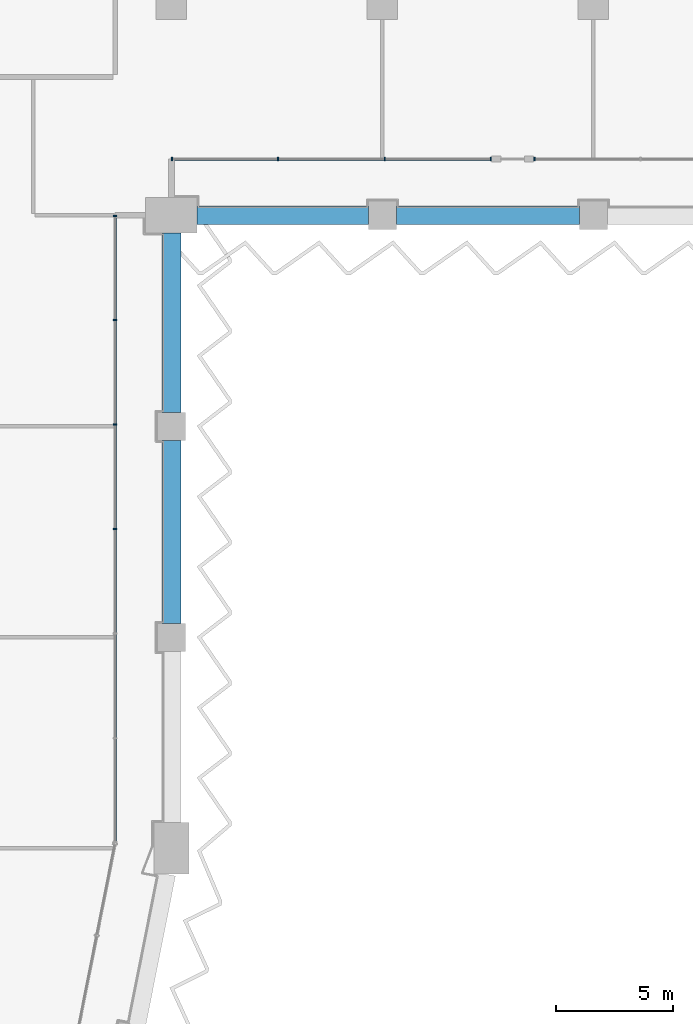
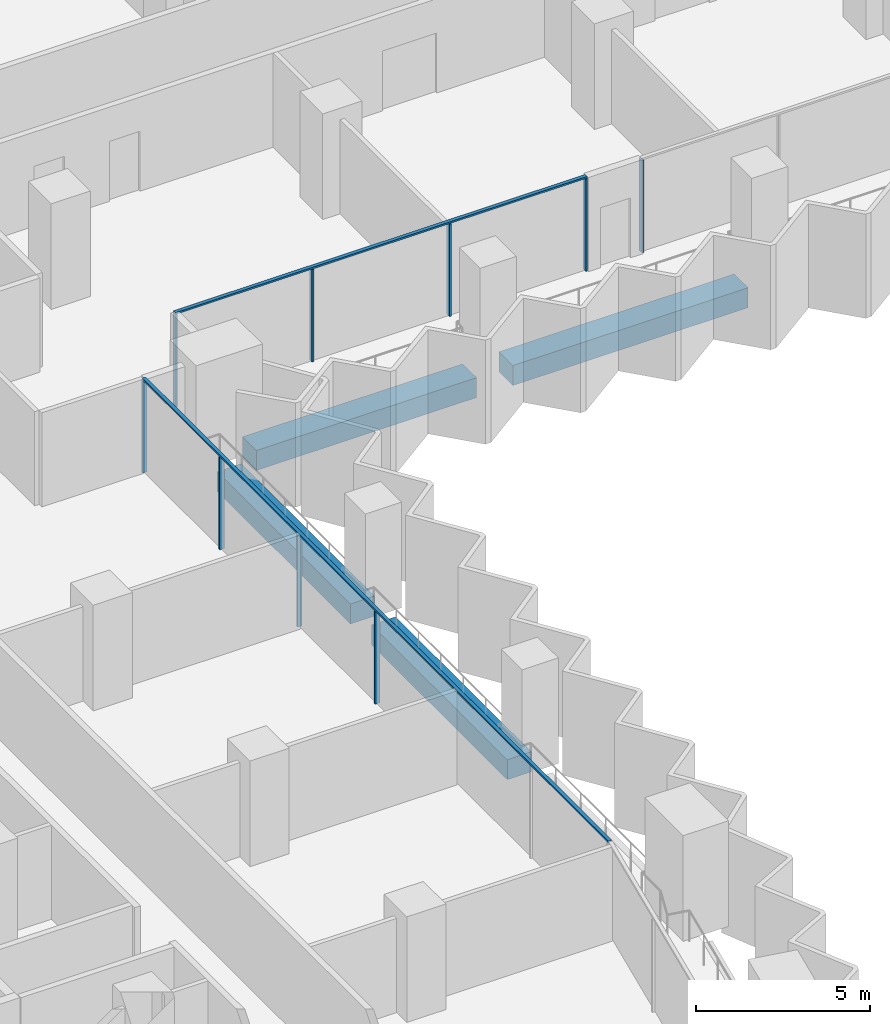
# One storey, part 4 of 22: 11 members, 4 beams, 3 elements without a shape of their own.
"""IFC4 building model written with IfcOpenShell, lengths in metres."""

from ifc_helpers import new_model, si_unit, direction, frame, origin, origin_2d, place, context, subcontext, project, spatial, rectangle, extrude, material, material_profile, profile_set, type_object, element, aggregate, save


model = new_model("IFC4")

# Units and contexts
model_context = context("Model", 3, precision=1e-05, world=origin(), true_north=direction((0.0, 1.0)))
body_context = subcontext(model_context, "Body", "Model", "MODEL_VIEW")
ifc_project = project(units=[si_unit("LENGTHUNIT", "METRE"), si_unit("AREAUNIT", "SQUARE_METRE"), si_unit("VOLUMEUNIT", "CUBIC_METRE"), si_unit("PLANEANGLEUNIT", "RADIAN"), si_unit("MASSUNIT", "GRAM", prefix="KILO")], contexts=[model_context])

# Site, building, storey
site_placement = place(None, origin())
site = spatial("IfcSite", under=ifc_project, at=site_placement, CompositionType="ELEMENT")
building_placement = place(site_placement, origin())
building = spatial("IfcBuilding", under=site, at=building_placement, Name="Hunhe Ridgeline Campus", CompositionType="ELEMENT")
storey_placement = place(building_placement, frame((0.0, 0.0, 114.39990234375)))
storey = spatial("IfcBuildingStorey", under=building, at=storey_placement, Name="L28", CompositionType="ELEMENT", Elevation=114.39990234375)

# Curtain wall, members
ifc_material_1 = material(Name="Aluminium 6063", Category="aluminium")
curtain_wall_type = type_object("IfcCurtainWallType", Name="Curtain wall CW-1", PredefinedType="NOTDEFINED", material=ifc_material_1)
curtain_wall_1_placement = place(storey_placement, origin())
curtain_wall_1 = element("IfcCurtainWall", 1, at=curtain_wall_1_placement, inside=storey, type_object=curtain_wall_type, Name="Curtain wall 11", PredefinedType="NOTDEFINED")
ifc_material_profile_1 = material_profile(ifc_material_1, rectangle(XDim=0.159912109375, YDim=0.06005859375, at=origin_2d()))
ifc_profile_set_1 = profile_set([ifc_material_profile_1], Name="Aluminium 6063")
member_type_1 = type_object("IfcMemberType", Name="CW-1 aluminium mullion", PredefinedType="MULLION", material=ifc_profile_set_1)
member_1_placement = place(storey_placement, frame((42.59912109375, 40.61865234375, 0.0), z_axis=(0.0, 0.0, 1.0), x_axis=(-0.99999999994, 1.0947456e-05, 0.0)))
member_1 = element("IfcMember", 2, at=member_1_placement, type_object=member_type_1, Name="CW-1 mullion 4", PredefinedType="MULLION", context=body_context, shape_type="SweptSolid", body=[
    extrude(rectangle(XDim=0.159912109375, YDim=0.06005859375, at=origin_2d()), origin(), (0.0, 0.0, 1.0), 3.239990234375),
])
member_2_placement = place(storey_placement, frame((42.59912109375, 45.079345703125, 0.0), z_axis=(0.0, 0.0, 1.0), x_axis=(-0.99999999994, 1.0947456e-05, 0.0)))
member_2 = element("IfcMember", 3, at=member_2_placement, type_object=member_type_1, Name="CW-1 mullion 5", PredefinedType="MULLION", context=body_context, shape_type="SweptSolid", body=[
    extrude(rectangle(XDim=0.159912109375, YDim=0.06005859375, at=origin_2d()), origin(), (0.0, 0.0, 1.0), 3.239990234375),
])
member_3_placement = place(storey_placement, frame((42.599365234375, 49.5400390625, 0.0), z_axis=(0.0, 0.0, 1.0), x_axis=(-0.99999999994, 1.0947456e-05, 0.0)))
member_3 = element("IfcMember", 4, at=member_3_placement, type_object=member_type_1, Name="CW-1 mullion 6", PredefinedType="MULLION", context=body_context, shape_type="SweptSolid", body=[
    extrude(rectangle(XDim=0.159912109375, YDim=0.06005859375, at=origin_2d()), origin(), (0.0, 0.0, 1.0), 3.239990234375),
])
member_4_placement = place(storey_placement, frame((42.599365234375, 53.970703125, 0.0), z_axis=(0.0, 0.0, 1.0), x_axis=(-0.99999999994, 1.0947456e-05, 0.0)))
member_4 = element("IfcMember", 5, at=member_4_placement, type_object=member_type_1, Name="CW-1 mullion 7", PredefinedType="MULLION", context=body_context, shape_type="SweptSolid", body=[
    extrude(rectangle(XDim=0.159912109375, YDim=0.06005859375, at=origin_2d()), origin(), (0.0, 0.0, 1.0), 3.239990234375),
])

curtain_wall_2_placement = place(storey_placement, origin())
curtain_wall_2 = element("IfcCurtainWall", 6, at=curtain_wall_2_placement, inside=storey, type_object=curtain_wall_type, Name="Curtain wall 12", PredefinedType="NOTDEFINED")
member_5_placement = place(storey_placement, frame((45.02978515625, 56.40087890625, 0.0), z_axis=(0.0, 0.0, 1.0), x_axis=(-1.4652e-07, 1.0, 0.0)))
member_5 = element("IfcMember", 7, at=member_5_placement, type_object=member_type_1, Name="CW-1 mullion 1", PredefinedType="MULLION", context=body_context, shape_type="SweptSolid", body=[
    extrude(rectangle(XDim=0.159912109375, YDim=0.06005859375, at=origin_2d()), origin(), (0.0, 0.0, 1.0), 3.239990234375),
])
member_6_placement = place(storey_placement, frame((49.5498046875, 56.40087890625, 0.0), z_axis=(0.0, 0.0, 1.0), x_axis=(-1.4652e-07, 1.0, 0.0)))
member_6 = element("IfcMember", 8, at=member_6_placement, type_object=member_type_1, Name="CW-1 mullion 2", PredefinedType="MULLION", context=body_context, shape_type="SweptSolid", body=[
    extrude(rectangle(XDim=0.159912109375, YDim=0.06005859375, at=origin_2d()), origin(), (0.0, 0.0, 1.0), 3.239990234375),
])
member_7_placement = place(storey_placement, frame((54.099609375, 56.40087890625, 0.0), z_axis=(0.0, 0.0, 1.0), x_axis=(-1.4652e-07, 1.0, 0.0)))
member_7 = element("IfcMember", 9, at=member_7_placement, type_object=member_type_1, Name="CW-1 mullion 3", PredefinedType="MULLION", context=body_context, shape_type="SweptSolid", body=[
    extrude(rectangle(XDim=0.159912109375, YDim=0.06005859375, at=origin_2d()), origin(), (0.0, 0.0, 1.0), 3.239990234375),
])
member_8_placement = place(storey_placement, frame((58.619384765625, 56.40087890625, 0.0), z_axis=(0.0, 0.0, 1.0), x_axis=(-1.4652e-07, 1.0, 0.0)))
member_8 = element("IfcMember", 10, at=member_8_placement, type_object=member_type_1, Name="CW-1 mullion 4", PredefinedType="MULLION", context=body_context, shape_type="SweptSolid", body=[
    extrude(rectangle(XDim=0.159912109375, YDim=0.06005859375, at=origin_2d()), origin(), (0.0, 0.0, 1.0), 3.239990234375),
])

# Curtain wall, member
curtain_wall_3_placement = place(storey_placement, origin())
curtain_wall_3 = element("IfcCurtainWall", 11, at=curtain_wall_3_placement, inside=storey, type_object=curtain_wall_type, Name="Curtain wall 13", PredefinedType="NOTDEFINED")
member_9_placement = place(storey_placement, frame((60.4794921875, 56.40087890625, 0.0), z_axis=(0.0, 0.0, 1.0), x_axis=(-1.4652e-07, 1.0, 0.0)))
member_9 = element("IfcMember", 12, at=member_9_placement, type_object=member_type_1, Name="CW-1 mullion 1", PredefinedType="MULLION", context=body_context, shape_type="SweptSolid", body=[
    extrude(rectangle(XDim=0.159912109375, YDim=0.06005859375, at=origin_2d()), origin(), (0.0, 0.0, 1.0), 3.239990234375),
])
aggregate(curtain_wall_3, [member_9])

# Member
ifc_material_profile_2 = material_profile(ifc_material_1, rectangle(XDim=0.1201171875, YDim=0.06005859375, at=origin_2d()))
ifc_profile_set_2 = profile_set([ifc_material_profile_2], Name="Aluminium 6063")
member_type_2 = type_object("IfcMemberType", Name="CW-1 aluminium transom", PredefinedType="USERDEFINED", material=ifc_profile_set_2)
member_10_placement = place(storey_placement, frame((42.59912109375, 27.236572265625, 3.27001953125), z_axis=(9.121924e-06, 0.999999999958, 0.0), x_axis=(-0.999999999958, 9.121924e-06, 0.0)))
member_10 = element("IfcMember", 13, at=member_10_placement, type_object=member_type_2, Name="CW-1 transom 1", ObjectType="TRANSOM", PredefinedType="USERDEFINED", context=body_context, shape_type="SweptSolid", body=[
    extrude(rectangle(XDim=0.1201171875, YDim=0.06005859375, at=origin_2d()), origin(), (0.0, 0.0, 1.0), 26.76416015625),
])

aggregate(curtain_wall_1, [member_10, member_1, member_2, member_3, member_4])

member_11_placement = place(storey_placement, frame((45.0, 56.40087890625, 3.27001953125), z_axis=(1.0, 0.0, 0.0), x_axis=(0.0, 1.0, 0.0)))
member_11 = element("IfcMember", 14, at=member_11_placement, type_object=member_type_2, Name="CW-1 transom 1", ObjectType="TRANSOM", PredefinedType="USERDEFINED", context=body_context, shape_type="SweptSolid", body=[
    extrude(rectangle(XDim=0.1201171875, YDim=0.06005859375, at=origin_2d()), origin(), (0.0, 0.0, 1.0), 13.6494140625),
])

aggregate(curtain_wall_2, [member_11, member_5, member_6, member_7, member_8])

# Beams
ifc_material_2 = material(Name="Concrete C60", Category="concrete")
ifc_material_profile_3 = material_profile(ifc_material_2, rectangle(XDim=0.800048828125, YDim=0.699951171875, at=origin_2d()))
ifc_profile_set_3 = profile_set([ifc_material_profile_3], Name="Concrete C60")
beam_type = type_object("IfcBeamType", Name="RC spandrel beam 800x700 Concrete C60", PredefinedType="SPANDREL", material=ifc_profile_set_3)
beam_1_placement = place(storey_placement, frame((45.0, 36.60009765625, -0.599853515625), z_axis=(0.0, 1.0, 0.0), x_axis=(-1.0, 0.0, 0.0)))
element("IfcBeam", 15, at=beam_1_placement, inside=storey, type_object=beam_type, Name="Spandrel beam B1-10 L28", PredefinedType="SPANDREL", context=body_context, shape_type="SweptSolid", body=[
    extrude(rectangle(XDim=0.800048828125, YDim=0.699951171875, at=origin_2d()), origin(), (0.0, 0.0, 1.0), 7.7998046875),
])
beam_2_placement = place(storey_placement, frame((45.0, 45.60009765625, -0.599853515625), z_axis=(0.0, 1.0, 0.0), x_axis=(-1.0, 0.0, 0.0)))
element("IfcBeam", 16, at=beam_2_placement, inside=storey, type_object=beam_type, Name="Spandrel beam B1-11 L28", PredefinedType="SPANDREL", context=body_context, shape_type="SweptSolid", body=[
    extrude(rectangle(XDim=0.800048828125, YDim=0.699951171875, at=origin_2d()), origin(), (0.0, 0.0, 1.0), 7.64990234375),
])
beam_3_placement = place(storey_placement, frame((46.10009765625, 54.0, -0.599853515625), z_axis=(1.0, 0.0, 0.0), x_axis=(0.0, 1.0, 0.0)))
element("IfcBeam", 17, at=beam_3_placement, inside=storey, type_object=beam_type, Name="Spandrel beam B1-12 L28", PredefinedType="SPANDREL", context=body_context, shape_type="SweptSolid", body=[
    extrude(rectangle(XDim=0.800048828125, YDim=0.699951171875, at=origin_2d()), origin(), (0.0, 0.0, 1.0), 7.2998046875),
])
beam_4_placement = place(storey_placement, frame((54.60009765625, 54.0, -0.599853515625), z_axis=(1.0, 0.0, 0.0), x_axis=(0.0, 1.0, 0.0)))
element("IfcBeam", 18, at=beam_4_placement, inside=storey, type_object=beam_type, Name="Spandrel beam B1-13 L28", PredefinedType="SPANDREL", context=body_context, shape_type="SweptSolid", body=[
    extrude(rectangle(XDim=0.800048828125, YDim=0.699951171875, at=origin_2d()), origin(), (0.0, 0.0, 1.0), 7.7998046875),
])

save(model, "model.ifc")
